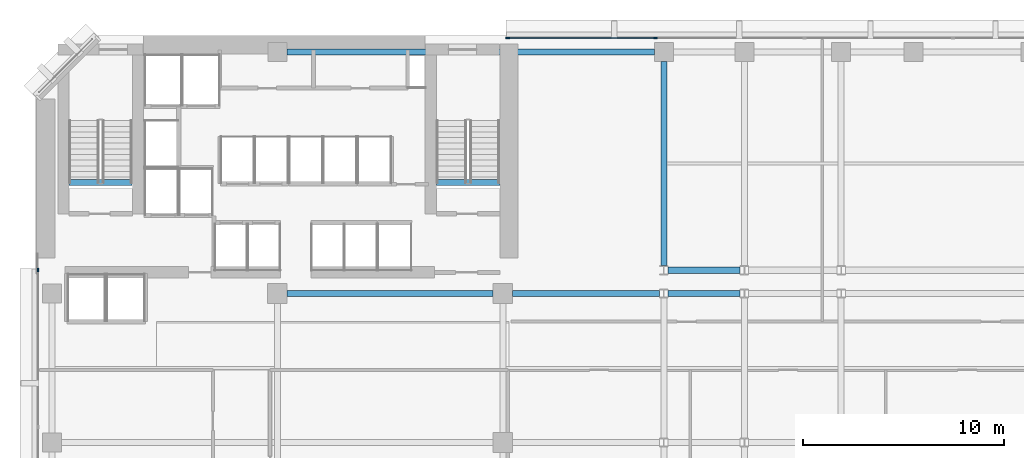
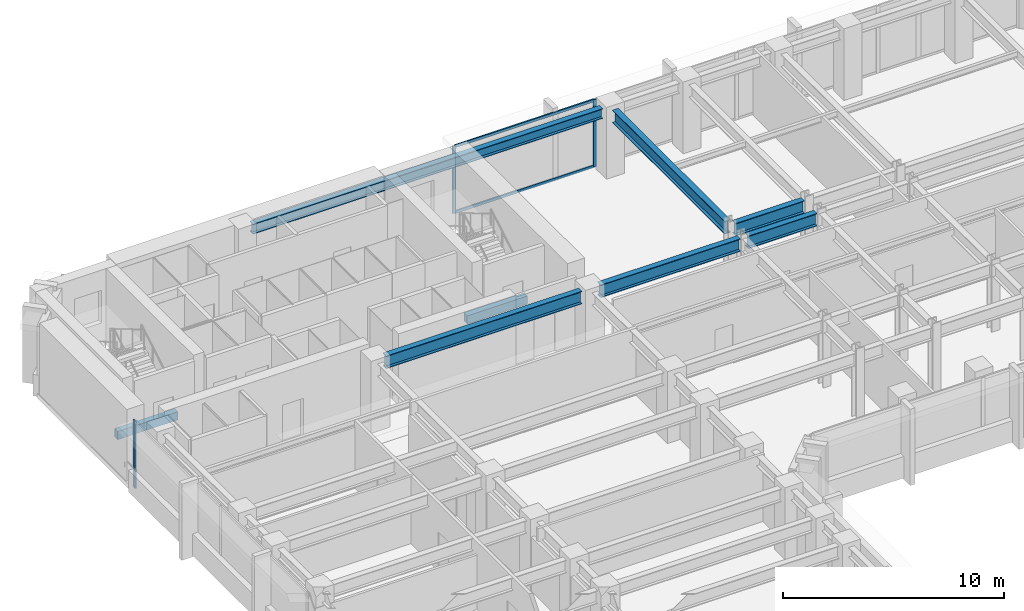
# One storey, part 4 of 13: 8 beams, 5 members, 2 elements without a shape of their own.
"""IFC4 building model written with IfcOpenShell, lengths in metres."""

import ifcopenshell
import ifcopenshell.guid

model = None  # the IFC model being written
_history = None  # IfcOwnerHistory: only IFC2X3 demands one
_inside = {}  # id of a spatial element -> (the spatial element, [elements in it])
_under = {}  # id of a project, library or spatial element -> (it, [spatial elements below it])
_declared = {}  # id of a project -> (the project, [libraries it declares])
_typed = {}  # id of a type object -> (the type object, [elements of that type])
_made_of = {}  # id of a material, layer set ... -> (it, [elements and type objects made of it])


def new_model(schema):
    """Start an empty IFC model of exactly this schema.

    Asked for "IFC4X3", IfcOpenShell would pick the latest addendum, in which some entities
    have other attributes; the version numbers below select the first issue.
    IFC2X3 requires an IfcOwnerHistory on every rooted entity: one is made here for all.
    """
    global model, _history
    if schema == "IFC4X3":
        model = ifcopenshell.file(schema_version=(4, 3, 0, 0))
    else:
        model = ifcopenshell.file(schema=schema)
    _inside.clear()
    _under.clear()
    _declared.clear()
    _typed.clear()
    _made_of.clear()
    _history = None
    if model.schema == "IFC2X3":
        org = make("IfcOrganization", Name="unknown")
        user = make(
            "IfcPersonAndOrganization",
            ThePerson=make("IfcPerson", FamilyName="unknown"),
            TheOrganization=org,
        )
        app = make(
            "IfcApplication",
            ApplicationDeveloper=org,
            Version="unknown",
            ApplicationFullName="unknown",
            ApplicationIdentifier="unknown",
        )
        _history = make(
            "IfcOwnerHistory",
            OwningUser=user,
            OwningApplication=app,
            ChangeAction="ADDED",
            CreationDate=0,
        )
    return model


def make(cls, **values):
    """One entity of the class cls with the attributes given. An attribute that is None is left unset."""
    return model.create_entity(
        cls, **{name: value for name, value in values.items() if value is not None}
    )


def rooted(cls, **values):
    """An entity with a GlobalId (a new one), such as an element, a storey or a relation."""
    return make(cls, GlobalId=ifcopenshell.guid.new(), OwnerHistory=_history, **values)


def si_unit(unit_type, name, prefix=None):
    """IfcSIUnit, for example si_unit("LENGTHUNIT", "METRE", prefix="MILLI")."""
    return make("IfcSIUnit", UnitType=unit_type, Prefix=prefix, Name=name)


def assignment(units):
    """IfcUnitAssignment: the units of a project."""
    return None if units is None else make("IfcUnitAssignment", Units=units)


def point(xyz):
    """IfcCartesianPoint."""
    return None if xyz is None else make("IfcCartesianPoint", Coordinates=xyz)


def direction(xyz):
    """IfcDirection."""
    return None if xyz is None else make("IfcDirection", DirectionRatios=xyz)


def frame(location, z_axis=None, x_axis=None):
    """IfcAxis2Placement3D, a coordinate frame: its origin and axes. An axis left out is left unset."""
    return make(
        "IfcAxis2Placement3D",
        Location=point(location),
        Axis=direction(z_axis),
        RefDirection=direction(x_axis),
    )


def frame_2d(location, x_axis=None):
    """IfcAxis2Placement2D, a coordinate frame in the plane: its origin and x axis."""
    return make(
        "IfcAxis2Placement2D", Location=point(location), RefDirection=direction(x_axis)
    )


def origin():
    """The frame at (0, 0, 0) with its axes left unset."""
    return frame((0.0, 0.0, 0.0))


def origin_2d():
    """The frame at (0, 0) in the plane with its x axis left unset."""
    return frame_2d((0.0, 0.0))


def place(relative_to, where):
    """IfcLocalPlacement: puts the frame where relative to a parent placement (None: the world)."""
    return make(
        "IfcLocalPlacement", PlacementRelTo=relative_to, RelativePlacement=where
    )


def context(
    kind, dimensions, precision=None, world=None, true_north=None, identifier=None
):
    """IfcGeometricRepresentationContext, for example the 3D "Model" context."""
    return make(
        "IfcGeometricRepresentationContext",
        ContextIdentifier=identifier,
        ContextType=kind,
        CoordinateSpaceDimension=dimensions,
        Precision=precision,
        WorldCoordinateSystem=world,
        TrueNorth=true_north,
    )


def subcontext(parent, identifier, kind, view, scale=None):
    """IfcGeometricRepresentationSubContext, for example "Body" below "Model"."""
    return make(
        "IfcGeometricRepresentationSubContext",
        ContextIdentifier=identifier,
        ContextType=kind,
        ParentContext=parent,
        TargetScale=scale,
        TargetView=view,
    )


def project(units=None, contexts=None):
    """IfcProject with its units and contexts."""
    return rooted(
        "IfcProject",
        Name="project",
        RepresentationContexts=contexts,
        UnitsInContext=assignment(units),
    )


def spatial(cls, under=None, at=None, **own):
    """A site, building, storey or space (cls), placed at a placement, below another one or the project."""
    s = rooted(cls, ObjectPlacement=at, **own)
    if under is not None:
        _under.setdefault(under.id(), (under, []))[1].append(s)
    return s


def profile(cls, at=None, kind="AREA", **sizes):
    """A parametric profile (cls). Its sizes go by their IFC names, for example OverallWidth=200.0."""
    return make(cls, ProfileType=kind, Position=at, **sizes)


def rectangle(**sizes):
    """IfcRectangleProfileDef."""
    return profile("IfcRectangleProfileDef", **sizes)


def i_section(**sizes):
    """IfcIShapeProfileDef."""
    return profile("IfcIShapeProfileDef", **sizes)


def extrude(swept, where, along, depth):
    """IfcExtrudedAreaSolid: the profile swept, set in the frame where, extruded along a direction by depth."""
    return make(
        "IfcExtrudedAreaSolid",
        SweptArea=swept,
        Position=where,
        ExtrudedDirection=direction(along),
        Depth=depth,
    )


def shape(context_of_items, identifier, shape_type, items):
    """IfcShapeRepresentation: the items that make up one representation, for example the "Body"."""
    return make(
        "IfcShapeRepresentation",
        ContextOfItems=context_of_items,
        RepresentationIdentifier=identifier,
        RepresentationType=shape_type,
        Items=items,
    )


def material(Name=None, Category=None):
    """IfcMaterial."""
    return make("IfcMaterial", Name=Name, Category=Category)


def layer(
    of_material, thickness, ventilated=None, Name=None, Category=None, Priority=None
):
    """IfcMaterialLayer: one layer of a wall or slab, of a material (None: an air gap)."""
    return make(
        "IfcMaterialLayer",
        Material=of_material,
        LayerThickness=thickness,
        IsVentilated=ventilated,
        Name=Name,
        Category=Category,
        Priority=Priority,
    )


def layer_set(layers, Name=None):
    """IfcMaterialLayerSet."""
    return make("IfcMaterialLayerSet", MaterialLayers=layers, LayerSetName=Name)


def material_profile(
    of_material, cross_section, Name=None, Category=None, Priority=None
):
    """IfcMaterialProfile: a cross section and its material."""
    return make(
        "IfcMaterialProfile",
        Name=Name,
        Material=of_material,
        Profile=cross_section,
        Priority=Priority,
        Category=Category,
    )


def profile_set(profiles, Name=None, composite=None):
    """IfcMaterialProfileSet."""
    return make(
        "IfcMaterialProfileSet",
        Name=Name,
        MaterialProfiles=profiles,
        CompositeProfile=composite,
    )


def made_of(thing, what):
    """Note that an element or type object is made of a material, layer set ...; save() writes the relation."""
    if what is not None:
        _made_of.setdefault(what.id(), (what, []))[1].append(thing)
    return thing


def type_object(cls, material=None, **own):
    """A type object (cls), such as IfcWallType, which elements share."""
    return made_of(rooted(cls, **own), material)


def element(
    cls,
    number,
    at=None,
    inside=None,
    cuts=None,
    type_object=None,
    material=None,
    context=None,
    identifier="Body",
    shape_type=None,
    held_by="IfcProductDefinitionShape",
    body=None,
    shapes=None,
    **own,
):
    """One element of the class cls, such as IfcWall. Its Tag is "e" and its number.

    at: its placement. inside: the storey or other place that contains it. cuts: it is an
    opening in that element (IfcRelVoidsElement). A single representation is given by context,
    identifier, shape_type and body (its items); several are given by shapes. held_by: the class
    of the entity that holds the representations. save() writes the other relations.
    """
    e = rooted(cls, Tag="e%d" % number, ObjectPlacement=at, **own)
    if body is not None:
        shapes = [shape(context, identifier, shape_type, body)]
    if shapes is not None:
        e.Representation = make(held_by, Representations=shapes)
    if inside is not None:
        _inside.setdefault(inside.id(), (inside, []))[1].append(e)
    if cuts is not None:
        rooted(
            "IfcRelVoidsElement", RelatingBuildingElement=cuts, RelatedOpeningElement=e
        )
    if type_object is not None:
        _typed.setdefault(type_object.id(), (type_object, []))[1].append(e)
    return made_of(e, material)


def aggregate(whole, parts):
    """IfcRelAggregates: a whole, such as a stair, and the parts it consists of."""
    return rooted("IfcRelAggregates", RelatingObject=whole, RelatedObjects=parts)


def save(model, path):
    """Write the relations noted so far, then the file.

    IfcRelAggregates (storeys below a building ...), IfcRelContainedInSpatialStructure (elements
    in a storey), IfcRelDefinesByType, IfcRelAssociatesMaterial and IfcRelDeclares: one each for
    every whole, place, type object, material and project.
    """
    for whole, parts in _under.values():
        aggregate(whole, parts)
    for where, things in _inside.values():
        rooted(
            "IfcRelContainedInSpatialStructure",
            RelatedElements=things,
            RelatingStructure=where,
        )
    for kind, things in _typed.values():
        rooted("IfcRelDefinesByType", RelatedObjects=things, RelatingType=kind)
    for what, things in _made_of.values():
        rooted("IfcRelAssociatesMaterial", RelatedObjects=things, RelatingMaterial=what)
    for by, libraries in _declared.values():
        rooted("IfcRelDeclares", RelatingContext=by, RelatedDefinitions=libraries)
    model.write(path)


model = new_model("IFC4")

# Units and contexts
model_context = context("Model", 3, precision=1e-05, world=origin(), true_north=direction((0.0, 1.0)))
body_context = subcontext(model_context, "Body", "Model", "MODEL_VIEW")
ifc_project = project(units=[si_unit("LENGTHUNIT", "METRE"), si_unit("AREAUNIT", "SQUARE_METRE"), si_unit("VOLUMEUNIT", "CUBIC_METRE"), si_unit("PLANEANGLEUNIT", "RADIAN"), si_unit("MASSUNIT", "GRAM", prefix="KILO")], contexts=[model_context])

# Site, building, storey
site_placement = place(None, origin())
site = spatial("IfcSite", under=ifc_project, at=site_placement, CompositionType="ELEMENT")
building_placement = place(site_placement, origin())
building = spatial("IfcBuilding", under=site, at=building_placement, Name="Kefirva Bronze Tower", CompositionType="ELEMENT")
storey_placement = place(building_placement, frame((0.0, 0.0, 106.590087890625)))
storey = spatial("IfcBuildingStorey", under=building, at=storey_placement, Name="L25", CompositionType="ELEMENT", Elevation=106.590087890625)

# Curtain wall, members
ifc_material_1 = material(Name="Bronze anodised aluminium", Category="aluminium")
ifc_layer = layer(ifc_material_1, 0.199951171875, Name="Bronze anodised aluminium")
ifc_layer_set = layer_set([ifc_layer], Name="Bronze anodised aluminium")
curtain_wall_type = type_object("IfcCurtainWallType", Name="Unitised Bronze Ribbon Curtain Wall Zone 1", PredefinedType="USERDEFINED", material=ifc_layer_set)
curtain_wall_1_placement = place(storey_placement, origin())
curtain_wall_1 = element("IfcCurtainWall", 1, at=curtain_wall_1_placement, inside=storey, type_object=curtain_wall_type, Name="L25 Curtain Wall 4", ObjectType="UNITISED CURTAIN WALL", PredefinedType="USERDEFINED")
ifc_material_profile_1 = material_profile(ifc_material_1, rectangle(XDim=0.074951171875, YDim=0.179931640625, at=origin_2d()), Name="ALU 75x180")
ifc_profile_set_1 = profile_set([ifc_material_profile_1], Name="Bronze anodised aluminium")
member_type_1 = type_object("IfcMemberType", Name="Bronze Mullion 75x180", PredefinedType="MULLION", material=ifc_profile_set_1)
member_1_placement = place(storey_placement, frame((30.7900390625, 45.8798828125, 0.0), z_axis=(0.0, 0.0, 1.0), x_axis=(0.0, -1.0, 0.0)))
member_1 = element("IfcMember", 2, at=member_1_placement, type_object=member_type_1, Name="CW-01 mullion 4", PredefinedType="MULLION", context=body_context, shape_type="SweptSolid", body=[
    extrude(rectangle(XDim=0.074951171875, YDim=0.179931640625, at=origin_2d()), origin(), (0.0, 0.0, 1.0), 3.7099609375),
])
member_2_placement = place(storey_placement, frame((23.4423828125, 45.8798828125, 0.0), z_axis=(0.0, 0.0, 1.0), x_axis=(0.0, -1.0, 0.0)))
member_2 = element("IfcMember", 3, at=member_2_placement, type_object=member_type_1, Name="CW-01 mullion 5", PredefinedType="MULLION", context=body_context, shape_type="SweptSolid", body=[
    extrude(rectangle(XDim=0.074951171875, YDim=0.179931640625, at=origin_2d()), origin(), (0.0, 0.0, 1.0), 3.7099609375),
])

# Curtain wall, member
curtain_wall_2_placement = place(storey_placement, origin())
curtain_wall_2 = element("IfcCurtainWall", 4, at=curtain_wall_2_placement, inside=storey, type_object=curtain_wall_type, Name="L25 Curtain Wall 5", ObjectType="UNITISED CURTAIN WALL", PredefinedType="USERDEFINED")
member_3_placement = place(storey_placement, frame((0.1201171875, 34.357421875, 0.0), z_axis=(0.0, 0.0, 1.0), x_axis=(1.0, 0.0, 0.0)))
member_3 = element("IfcMember", 5, at=member_3_placement, type_object=member_type_1, Name="CW-01 mullion 1", PredefinedType="MULLION", context=body_context, shape_type="SweptSolid", body=[
    extrude(rectangle(XDim=0.074951171875, YDim=0.179931640625, at=origin_2d()), origin(), (0.0, 0.0, 1.0), 3.7099609375),
])
aggregate(curtain_wall_2, [member_3])

# Member
ifc_material_profile_2 = material_profile(ifc_material_1, rectangle(XDim=0.074951171875, YDim=0.14990234375, at=origin_2d()), Name="ALU 75x150")
ifc_profile_set_2 = profile_set([ifc_material_profile_2], Name="Bronze anodised aluminium")
member_type_2 = type_object("IfcMemberType", Name="Bronze Transom 75x150", PredefinedType="USERDEFINED", material=ifc_profile_set_2)
member_4_placement = place(storey_placement, frame((30.75244140625, 45.8798828125, 0.037353515625), z_axis=(-1.0, 0.0, 0.0), x_axis=(0.0, -1.0, 0.0)))
member_4 = element("IfcMember", 6, at=member_4_placement, type_object=member_type_2, Name="CW-01 transom 4.1", ObjectType="TRANSOM", PredefinedType="USERDEFINED", context=body_context, shape_type="SweptSolid", body=[
    extrude(rectangle(XDim=0.074951171875, YDim=0.14990234375, at=origin_2d()), origin(), (0.0, 0.0, 1.0), 7.2724609375),
])

member_5_placement = place(storey_placement, frame((30.75244140625, 45.8798828125, 3.67236328125), z_axis=(-1.0, 0.0, 0.0), x_axis=(0.0, -1.0, 0.0)))
member_5 = element("IfcMember", 7, at=member_5_placement, type_object=member_type_2, Name="CW-01 transom 4.2", ObjectType="TRANSOM", PredefinedType="USERDEFINED", context=body_context, shape_type="SweptSolid", body=[
    extrude(rectangle(XDim=0.074951171875, YDim=0.14990234375, at=origin_2d()), origin(), (0.0, 0.0, 1.0), 7.2724609375),
])

aggregate(curtain_wall_1, [member_1, member_2, member_4, member_5])

# Beams
ifc_material_2 = material(Name="Concrete C50/60", Category="concrete")
ifc_material_profile_3 = material_profile(ifc_material_2, rectangle(XDim=0.300048828125, YDim=0.449951171875, at=origin_2d()), Name="RC 300x450")
ifc_profile_set_3 = profile_set([ifc_material_profile_3], Name="Concrete C50/60")
beam_type_1 = type_object("IfcBeamType", Name="RC Stair Trimmer Beam 300x450", PredefinedType="BEAM", material=ifc_profile_set_3)
beam_1_placement = place(storey_placement, frame((1.64501953125, 38.699951171875, -0.22509765625), z_axis=(1.0, 0.0, 0.0), x_axis=(0.0, 1.0, 0.0)))
element("IfcBeam", 8, at=beam_1_placement, inside=storey, type_object=beam_type_1, Name="L25 Stair 1 Landing Trimmer Beam", PredefinedType="BEAM", context=body_context, shape_type="SweptSolid", body=[
    extrude(rectangle(XDim=0.300048828125, YDim=0.449951171875, at=origin_2d()), origin(), (0.0, 0.0, 1.0), 3.14990234375),
])
beam_2_placement = place(storey_placement, frame((19.89501953125, 38.699951171875, -0.22509765625), z_axis=(1.0, 0.0, 0.0), x_axis=(0.0, 1.0, 0.0)))
element("IfcBeam", 9, at=beam_2_placement, inside=storey, type_object=beam_type_1, Name="L25 Stair 2 Landing Trimmer Beam", PredefinedType="BEAM", context=body_context, shape_type="SweptSolid", body=[
    extrude(rectangle(XDim=0.300048828125, YDim=0.449951171875, at=origin_2d()), origin(), (0.0, 0.0, 1.0), 3.159912109375),
])
ifc_material_3 = material(Name="Steel S355", Category="steel")
ifc_material_profile_4 = material_profile(ifc_material_3, i_section(OverallWidth=0.300048828125, OverallDepth=0.699951171875, WebThickness=0.01708984375, FlangeThickness=0.031982421875, at=origin_2d()), Name="HEB 700")
ifc_profile_set_4 = profile_set([ifc_material_profile_4], Name="Steel S355")
beam_type_2 = type_object("IfcBeamType", Name="Steel Girder HEB 700", PredefinedType="USERDEFINED", material=ifc_profile_set_4)
beam_3_placement = place(storey_placement, frame((12.489990234375, 33.199951171875, 3.35986328125), z_axis=(1.0, 0.0, 0.0), x_axis=(0.0, 1.0, 0.0)))
element("IfcBeam", 10, at=beam_3_placement, inside=storey, type_object=beam_type_2, Name="L25 BM-L25-EW-12-332", ObjectType="GIRDER", PredefinedType="USERDEFINED", context=body_context, shape_type="SweptSolid", body=[
    extrude(i_section(OverallWidth=0.300048828125, OverallDepth=0.699951171875, WebThickness=0.01708984375, FlangeThickness=0.031982421875, at=origin_2d()), origin(), (0.0, 0.0, 1.0), 10.219970703125),
])
beam_4_placement = place(storey_placement, frame((23.68994140625, 33.199951171875, 3.35986328125), z_axis=(1.0, 0.0, 0.0), x_axis=(0.0, 1.0, 0.0)))
element("IfcBeam", 11, at=beam_4_placement, inside=storey, type_object=beam_type_2, Name="L25 BM-L25-EW-23-332", ObjectType="GIRDER", PredefinedType="USERDEFINED", context=body_context, shape_type="SweptSolid", body=[
    extrude(i_section(OverallWidth=0.300048828125, OverallDepth=0.699951171875, WebThickness=0.01708984375, FlangeThickness=0.031982421875, at=origin_2d()), origin(), (0.0, 0.0, 1.0), 7.301025390625),
])
for number, where, z_axis, x_axis, name in (
    (12, (31.408935546875, 33.199951171875, 3.35986328125), (1.0, 0.0, 0.0), (0.0, 1.0, 0.0), "L25 BM-L25-EW-31-332"),
    (13, (31.408935546875, 34.35009765625, 3.35986328125), (1.0, 0.0, 0.0), (0.0, 1.0, 0.0), "L25 BM-L25-EW-31-344"),
):
    element("IfcBeam", number, at=place(storey_placement, frame(where, z_axis=z_axis, x_axis=x_axis)), inside=storey, type_object=beam_type_2, Name=name, ObjectType="GIRDER", PredefinedType="USERDEFINED", context=body_context, shape_type="SweptSolid", body=[
        extrude(i_section(OverallWidth=0.300048828125, OverallDepth=0.699951171875, WebThickness=0.01708984375, FlangeThickness=0.031982421875, at=origin_2d()), origin(), (0.0, 0.0, 1.0), 3.58203125),
    ])
beam_5_placement = place(storey_placement, frame((31.199951171875, 34.577392578125, 3.35986328125), z_axis=(0.0, 1.0, 0.0), x_axis=(-1.0, 0.0, 0.0)))
element("IfcBeam", 14, at=beam_5_placement, inside=storey, type_object=beam_type_2, Name="L25 BM-L25-NS-312-34", ObjectType="GIRDER", PredefinedType="USERDEFINED", context=body_context, shape_type="SweptSolid", body=[
    extrude(i_section(OverallWidth=0.300048828125, OverallDepth=0.699951171875, WebThickness=0.01708984375, FlangeThickness=0.031982421875, at=origin_2d()), origin(), (0.0, 0.0, 1.0), 10.152587890625),
])
ifc_material_profile_5 = material_profile(ifc_material_3, i_section(OverallWidth=0.300048828125, OverallDepth=0.550048828125, WebThickness=0.014892578125, FlangeThickness=0.029052734375, at=origin_2d()), Name="HEB 550")
ifc_profile_set_5 = profile_set([ifc_material_profile_5], Name="Steel S355")
beam_type_3 = type_object("IfcBeamType", Name="Steel Spandrel HEB 550 Ext", PredefinedType="SPANDREL", material=ifc_profile_set_5)
beam_6_placement = place(storey_placement, frame((12.469970703125, 45.199951171875, 3.434814453125), z_axis=(1.0, 0.0, 0.0), x_axis=(0.0, 1.0, 0.0)))
element("IfcBeam", 15, at=beam_6_placement, inside=storey, type_object=beam_type_3, Name="L25 BM-L25-EW-12-452", PredefinedType="SPANDREL", context=body_context, shape_type="SweptSolid", body=[
    extrude(i_section(OverallWidth=0.300048828125, OverallDepth=0.550048828125, WebThickness=0.014892578125, FlangeThickness=0.029052734375, at=origin_2d()), origin(), (0.0, 0.0, 1.0), 18.260009765625),
])

save(model, "model.ifc")
